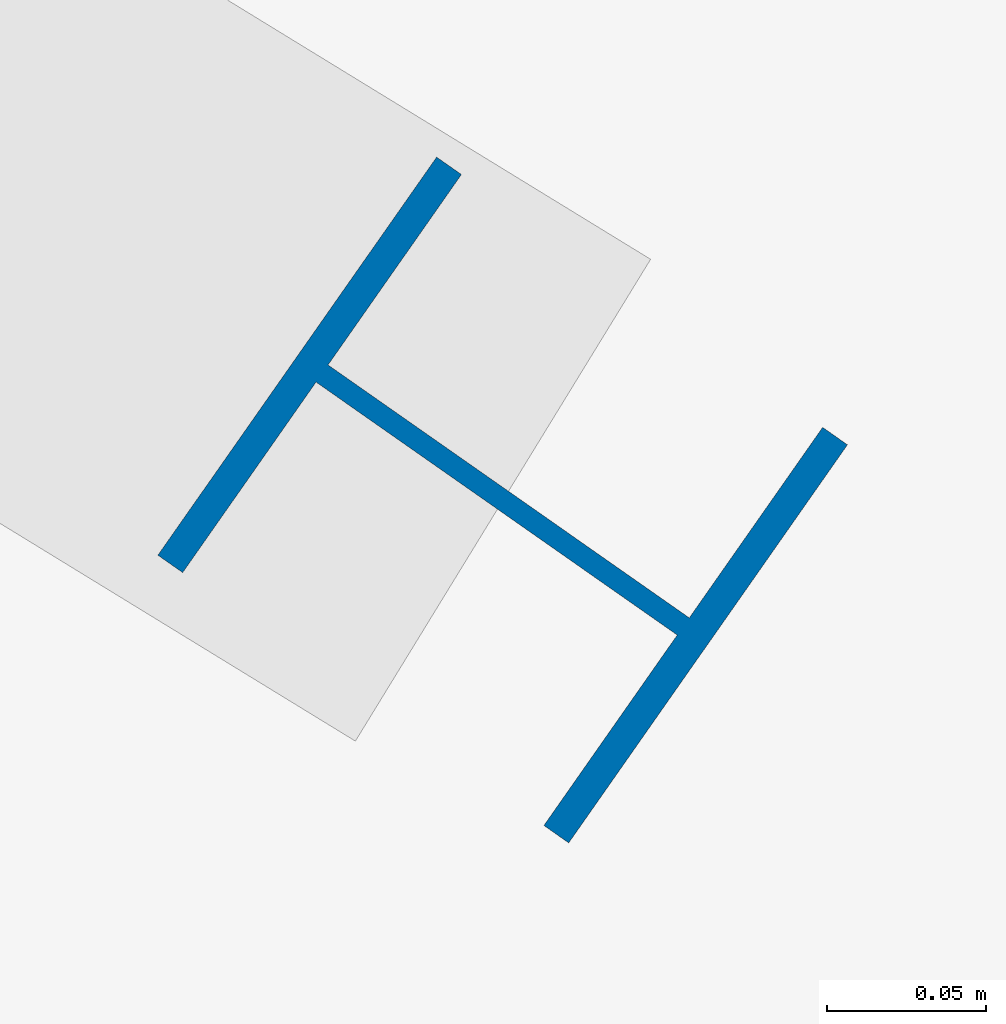
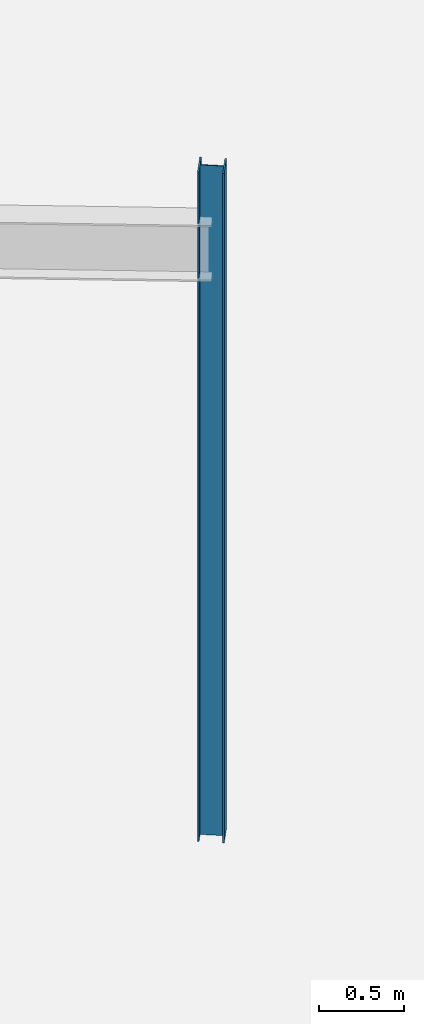
# One storey, part 30 of 186: 1 column.
"""IFC4 building model written with IfcOpenShell, lengths in metres."""

import ifcopenshell
import ifcopenshell.guid

model = None  # the IFC model being written
_history = None  # IfcOwnerHistory: only IFC2X3 demands one
_inside = {}  # id of a spatial element -> (the spatial element, [elements in it])
_under = {}  # id of a project, library or spatial element -> (it, [spatial elements below it])
_declared = {}  # id of a project -> (the project, [libraries it declares])
_typed = {}  # id of a type object -> (the type object, [elements of that type])
_made_of = {}  # id of a material, layer set ... -> (it, [elements and type objects made of it])


def new_model(schema):
    """Start an empty IFC model of exactly this schema.

    Asked for "IFC4X3", IfcOpenShell would pick the latest addendum, in which some entities
    have other attributes; the version numbers below select the first issue.
    IFC2X3 requires an IfcOwnerHistory on every rooted entity: one is made here for all.
    """
    global model, _history
    if schema == "IFC4X3":
        model = ifcopenshell.file(schema_version=(4, 3, 0, 0))
    else:
        model = ifcopenshell.file(schema=schema)
    _inside.clear()
    _under.clear()
    _declared.clear()
    _typed.clear()
    _made_of.clear()
    _history = None
    if model.schema == "IFC2X3":
        org = make("IfcOrganization", Name="unknown")
        user = make(
            "IfcPersonAndOrganization",
            ThePerson=make("IfcPerson", FamilyName="unknown"),
            TheOrganization=org,
        )
        app = make(
            "IfcApplication",
            ApplicationDeveloper=org,
            Version="unknown",
            ApplicationFullName="unknown",
            ApplicationIdentifier="unknown",
        )
        _history = make(
            "IfcOwnerHistory",
            OwningUser=user,
            OwningApplication=app,
            ChangeAction="ADDED",
            CreationDate=0,
        )
    return model


def make(cls, **values):
    """One entity of the class cls with the attributes given. An attribute that is None is left unset."""
    return model.create_entity(
        cls, **{name: value for name, value in values.items() if value is not None}
    )


def rooted(cls, **values):
    """An entity with a GlobalId (a new one), such as an element, a storey or a relation."""
    return make(cls, GlobalId=ifcopenshell.guid.new(), OwnerHistory=_history, **values)


def si_unit(unit_type, name, prefix=None):
    """IfcSIUnit, for example si_unit("LENGTHUNIT", "METRE", prefix="MILLI")."""
    return make("IfcSIUnit", UnitType=unit_type, Prefix=prefix, Name=name)


def assignment(units):
    """IfcUnitAssignment: the units of a project."""
    return None if units is None else make("IfcUnitAssignment", Units=units)


def point(xyz):
    """IfcCartesianPoint."""
    return None if xyz is None else make("IfcCartesianPoint", Coordinates=xyz)


def direction(xyz):
    """IfcDirection."""
    return None if xyz is None else make("IfcDirection", DirectionRatios=xyz)


def frame(location, z_axis=None, x_axis=None):
    """IfcAxis2Placement3D, a coordinate frame: its origin and axes. An axis left out is left unset."""
    return make(
        "IfcAxis2Placement3D",
        Location=point(location),
        Axis=direction(z_axis),
        RefDirection=direction(x_axis),
    )


def frame_2d(location, x_axis=None):
    """IfcAxis2Placement2D, a coordinate frame in the plane: its origin and x axis."""
    return make(
        "IfcAxis2Placement2D", Location=point(location), RefDirection=direction(x_axis)
    )


def origin():
    """The frame at (0, 0, 0) with its axes left unset."""
    return frame((0.0, 0.0, 0.0))


def origin_2d():
    """The frame at (0, 0) in the plane with its x axis left unset."""
    return frame_2d((0.0, 0.0))


def place(relative_to, where):
    """IfcLocalPlacement: puts the frame where relative to a parent placement (None: the world)."""
    return make(
        "IfcLocalPlacement", PlacementRelTo=relative_to, RelativePlacement=where
    )


def context(
    kind, dimensions, precision=None, world=None, true_north=None, identifier=None
):
    """IfcGeometricRepresentationContext, for example the 3D "Model" context."""
    return make(
        "IfcGeometricRepresentationContext",
        ContextIdentifier=identifier,
        ContextType=kind,
        CoordinateSpaceDimension=dimensions,
        Precision=precision,
        WorldCoordinateSystem=world,
        TrueNorth=true_north,
    )


def subcontext(parent, identifier, kind, view, scale=None):
    """IfcGeometricRepresentationSubContext, for example "Body" below "Model"."""
    return make(
        "IfcGeometricRepresentationSubContext",
        ContextIdentifier=identifier,
        ContextType=kind,
        ParentContext=parent,
        TargetScale=scale,
        TargetView=view,
    )


def project(units=None, contexts=None):
    """IfcProject with its units and contexts."""
    return rooted(
        "IfcProject",
        Name="project",
        RepresentationContexts=contexts,
        UnitsInContext=assignment(units),
    )


def spatial(cls, under=None, at=None, **own):
    """A site, building, storey or space (cls), placed at a placement, below another one or the project."""
    s = rooted(cls, ObjectPlacement=at, **own)
    if under is not None:
        _under.setdefault(under.id(), (under, []))[1].append(s)
    return s


def profile(cls, at=None, kind="AREA", **sizes):
    """A parametric profile (cls). Its sizes go by their IFC names, for example OverallWidth=200.0."""
    return make(cls, ProfileType=kind, Position=at, **sizes)


def i_section(**sizes):
    """IfcIShapeProfileDef."""
    return profile("IfcIShapeProfileDef", **sizes)


def extrude(swept, where, along, depth):
    """IfcExtrudedAreaSolid: the profile swept, set in the frame where, extruded along a direction by depth."""
    return make(
        "IfcExtrudedAreaSolid",
        SweptArea=swept,
        Position=where,
        ExtrudedDirection=direction(along),
        Depth=depth,
    )


def shape(context_of_items, identifier, shape_type, items):
    """IfcShapeRepresentation: the items that make up one representation, for example the "Body"."""
    return make(
        "IfcShapeRepresentation",
        ContextOfItems=context_of_items,
        RepresentationIdentifier=identifier,
        RepresentationType=shape_type,
        Items=items,
    )


def material(Name=None, Category=None):
    """IfcMaterial."""
    return make("IfcMaterial", Name=Name, Category=Category)


def material_profile(
    of_material, cross_section, Name=None, Category=None, Priority=None
):
    """IfcMaterialProfile: a cross section and its material."""
    return make(
        "IfcMaterialProfile",
        Name=Name,
        Material=of_material,
        Profile=cross_section,
        Priority=Priority,
        Category=Category,
    )


def profile_set(profiles, Name=None, composite=None):
    """IfcMaterialProfileSet."""
    return make(
        "IfcMaterialProfileSet",
        Name=Name,
        MaterialProfiles=profiles,
        CompositeProfile=composite,
    )


def made_of(thing, what):
    """Note that an element or type object is made of a material, layer set ...; save() writes the relation."""
    if what is not None:
        _made_of.setdefault(what.id(), (what, []))[1].append(thing)
    return thing


def type_object(cls, material=None, **own):
    """A type object (cls), such as IfcWallType, which elements share."""
    return made_of(rooted(cls, **own), material)


def element(
    cls,
    number,
    at=None,
    inside=None,
    cuts=None,
    type_object=None,
    material=None,
    context=None,
    identifier="Body",
    shape_type=None,
    held_by="IfcProductDefinitionShape",
    body=None,
    shapes=None,
    **own,
):
    """One element of the class cls, such as IfcWall. Its Tag is "e" and its number.

    at: its placement. inside: the storey or other place that contains it. cuts: it is an
    opening in that element (IfcRelVoidsElement). A single representation is given by context,
    identifier, shape_type and body (its items); several are given by shapes. held_by: the class
    of the entity that holds the representations. save() writes the other relations.
    """
    e = rooted(cls, Tag="e%d" % number, ObjectPlacement=at, **own)
    if body is not None:
        shapes = [shape(context, identifier, shape_type, body)]
    if shapes is not None:
        e.Representation = make(held_by, Representations=shapes)
    if inside is not None:
        _inside.setdefault(inside.id(), (inside, []))[1].append(e)
    if cuts is not None:
        rooted(
            "IfcRelVoidsElement", RelatingBuildingElement=cuts, RelatedOpeningElement=e
        )
    if type_object is not None:
        _typed.setdefault(type_object.id(), (type_object, []))[1].append(e)
    return made_of(e, material)


def aggregate(whole, parts):
    """IfcRelAggregates: a whole, such as a stair, and the parts it consists of."""
    return rooted("IfcRelAggregates", RelatingObject=whole, RelatedObjects=parts)


def save(model, path):
    """Write the relations noted so far, then the file.

    IfcRelAggregates (storeys below a building ...), IfcRelContainedInSpatialStructure (elements
    in a storey), IfcRelDefinesByType, IfcRelAssociatesMaterial and IfcRelDeclares: one each for
    every whole, place, type object, material and project.
    """
    for whole, parts in _under.values():
        aggregate(whole, parts)
    for where, things in _inside.values():
        rooted(
            "IfcRelContainedInSpatialStructure",
            RelatedElements=things,
            RelatingStructure=where,
        )
    for kind, things in _typed.values():
        rooted("IfcRelDefinesByType", RelatedObjects=things, RelatingType=kind)
    for what, things in _made_of.values():
        rooted("IfcRelAssociatesMaterial", RelatedObjects=things, RelatingMaterial=what)
    for by, libraries in _declared.values():
        rooted("IfcRelDeclares", RelatingContext=by, RelatedDefinitions=libraries)
    model.write(path)


model = new_model("IFC4")

# Units and contexts
model_context = context("Model", 3, precision=1e-05, world=origin(), true_north=direction((0.0, 1.0)))
body_context = subcontext(model_context, "Body", "Model", "MODEL_VIEW")
ifc_project = project(units=[si_unit("LENGTHUNIT", "METRE"), si_unit("AREAUNIT", "SQUARE_METRE"), si_unit("VOLUMEUNIT", "CUBIC_METRE"), si_unit("PLANEANGLEUNIT", "RADIAN"), si_unit("MASSUNIT", "GRAM", prefix="KILO")], contexts=[model_context])

# Site, building, storey
site_placement = place(None, origin())
site = spatial("IfcSite", under=ifc_project, at=site_placement, CompositionType="ELEMENT")
building_placement = place(site_placement, origin())
building = spatial("IfcBuilding", under=site, at=building_placement, Name="Tarnwether General Hospital", CompositionType="ELEMENT")
storey_placement = place(building_placement, frame((0.0, 0.0, 9.60009765625)))
storey = spatial("IfcBuildingStorey", under=building, at=storey_placement, Name="L02", CompositionType="ELEMENT", Elevation=9.60009765625)

# Column
ifc_material = material(Name="Steel Grade 350 (350 MPa)", Category="steel")
ifc_material_profile = material_profile(ifc_material, i_section(OverallWidth=0.153076171875, OverallDepth=0.157958984375, WebThickness=0.006591796875, FlangeThickness=0.009521484375, at=origin_2d()), Name="150UC30.0")
ifc_profile_set = profile_set([ifc_material_profile], Name="Steel Grade 350 (350 MPa)")
column_type = type_object("IfcColumnType", Name="COL-31", PredefinedType="COLUMN", material=ifc_profile_set)
column_placement = place(storey_placement, frame((125.9560546875, 111.493896484375, 0.0), z_axis=(0.0, 0.0, 1.0), x_axis=(0.573576436351, 0.819152044289, 0.0)))
element("IfcColumn", 1, at=column_placement, inside=storey, type_object=column_type, Name="Column COLG-L02-12596_11149", PredefinedType="COLUMN", context=body_context, shape_type="SweptSolid", body=[
    extrude(i_section(OverallWidth=0.153076171875, OverallDepth=0.157958984375, WebThickness=0.006591796875, FlangeThickness=0.009521484375, at=origin_2d()), origin(), (0.0, 0.0, 1.0), 4.7998046875),
])

save(model, "model.ifc")
